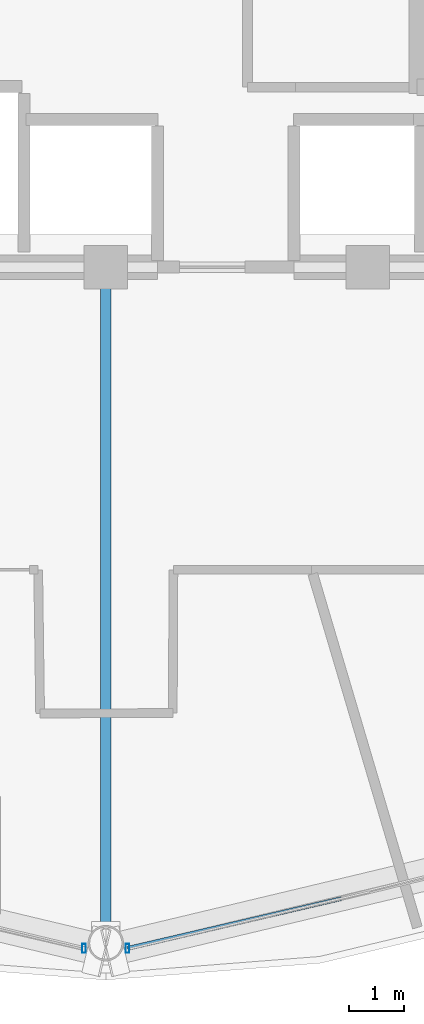
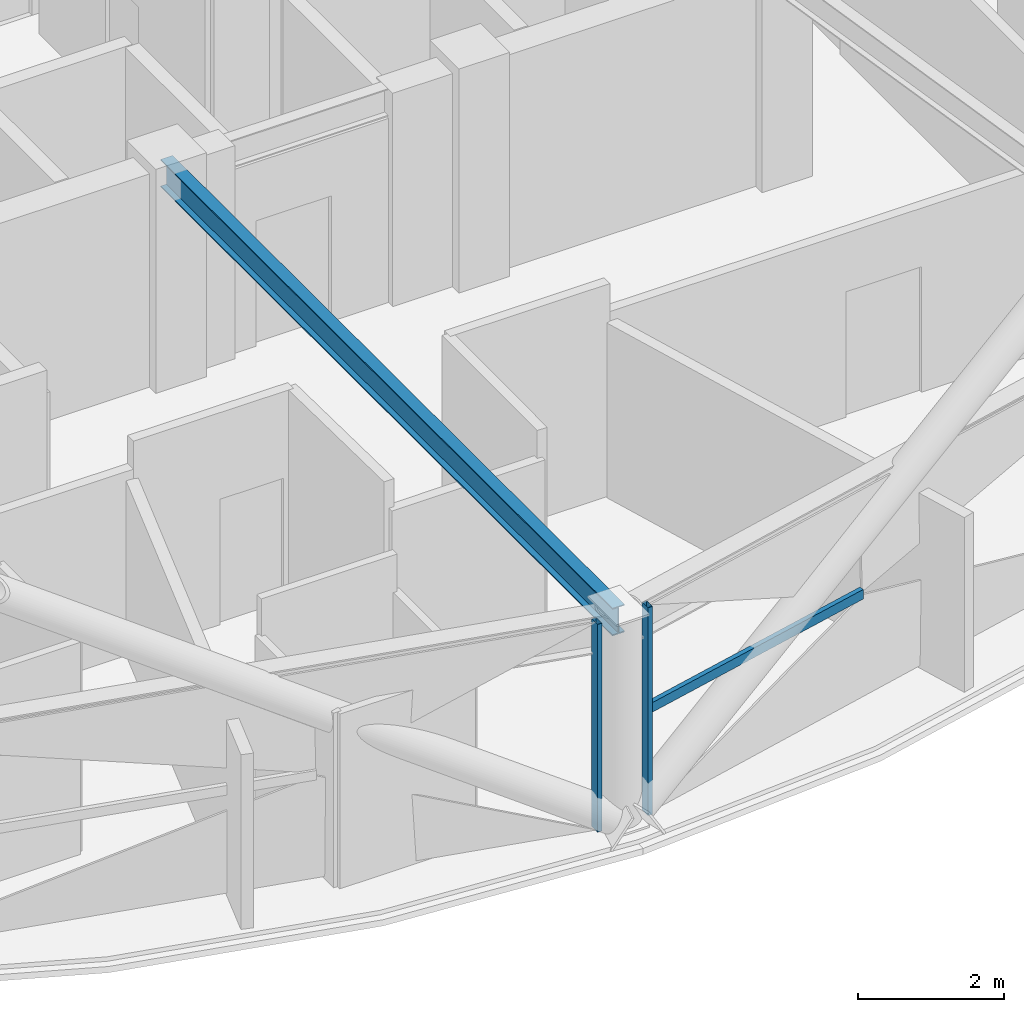
# One storey, part 5 of 29: 3 members, 1 beam, 2 elements without a shape of their own.
"""IFC4 building model written with IfcOpenShell, lengths in metres."""

from ifc_helpers import new_model, si_unit, direction, frame, origin, origin_2d, place, context, subcontext, project, spatial, hollow_rectangle, i_section, extrude, material, layer, layer_set, material_profile, profile_set, type_object, element, aggregate, save


model = new_model("IFC4")

# Units and contexts
model_context = context("Model", 3, precision=1e-05, world=origin(), true_north=direction((0.0, 1.0)))
body_context = subcontext(model_context, "Body", "Model", "MODEL_VIEW")
ifc_project = project(units=[si_unit("LENGTHUNIT", "METRE"), si_unit("AREAUNIT", "SQUARE_METRE"), si_unit("VOLUMEUNIT", "CUBIC_METRE"), si_unit("PLANEANGLEUNIT", "RADIAN"), si_unit("MASSUNIT", "GRAM", prefix="KILO")], contexts=[model_context])

# Site, building, storey
site_placement = place(None, origin())
site = spatial("IfcSite", under=ifc_project, at=site_placement, CompositionType="ELEMENT")
building_placement = place(site_placement, origin())
building = spatial("IfcBuilding", under=site, at=building_placement, Name="Vantalir Tower", CompositionType="ELEMENT")
storey_placement = place(building_placement, frame((0.0, 0.0, 219.89990234375)))
storey = spatial("IfcBuildingStorey", under=building, at=storey_placement, Name="L55", CompositionType="ELEMENT", Elevation=219.89990234375)

# Beam
ifc_material_1 = material(Name="Steel S355", Category="steel")
ifc_material_profile_1 = material_profile(ifc_material_1, i_section(OverallWidth=0.19189453125, OverallDepth=0.462890625, WebThickness=0.010498046875, FlangeThickness=0.017578125, at=origin_2d()), Name="Steel S355")
ifc_profile_set_1 = profile_set([ifc_material_profile_1], Name="Steel S355")
beam_type = type_object("IfcBeamType", Name="BM-RB-457x191", PredefinedType="BEAM", material=ifc_profile_set_1)
beam_placement = place(storey_placement, frame((31.5, 5.404052734375, 3.338134765625), z_axis=(0.0, 1.0, 0.0), x_axis=(-1.0, 0.0, 0.0)))
element("IfcBeam", 1, at=beam_placement, inside=storey, type_object=beam_type, Name="L55 Radial Floor Beam 10", PredefinedType="BEAM", context=body_context, shape_type="SweptSolid", body=[
    extrude(i_section(OverallWidth=0.19189453125, OverallDepth=0.462890625, WebThickness=0.010498046875, FlangeThickness=0.017578125, at=origin_2d()), origin(), (0.0, 0.0, 1.0), 12.39599609375),
])

# Curtain wall, member
ifc_material_2 = material(Name="Champagne-silver PVDF aluminium and double-silver Low-E glass", Category="aluminium")
ifc_layer = layer(ifc_material_2, 0.2099609375)
ifc_layer_set = layer_set([ifc_layer], Name="Champagne-silver PVDF aluminium and double-silver Low-E glass")
curtain_wall_type = type_object("IfcCurtainWallType", Name="CW-DIAMOND-Z3", PredefinedType="USERDEFINED", material=ifc_layer_set)
curtain_wall_1_placement = place(storey_placement, origin())
curtain_wall_1 = element("IfcCurtainWall", 2, at=curtain_wall_1_placement, inside=storey, type_object=curtain_wall_type, Name="L55 Quilted Pyramid-Diamond Curtain Wall S09", ObjectType="UNITISED CURTAIN WALL", PredefinedType="USERDEFINED")
ifc_material_3 = material(Name="Champagne-silver PVDF aluminium 6063-T6", Category="aluminium")
ifc_material_profile_2 = material_profile(ifc_material_3, hollow_rectangle(XDim=0.070068359375, YDim=0.1650390625, WallThickness=0.00390625, at=origin_2d()), Name="Champagne-silver PVDF aluminium 6063-T6")
ifc_profile_set_2 = profile_set([ifc_material_profile_2], Name="Champagne-silver PVDF aluminium 6063-T6")
member_type_1 = type_object("IfcMemberType", Name="CWM-165x70", PredefinedType="MULLION", material=ifc_profile_set_2)
member_1_placement = place(storey_placement, frame((31.10107421875, 5.30908203125, 0.045166015625), z_axis=(0.0, 0.0, 1.0), x_axis=(1.0, 0.0, 0.0)))
member_1 = element("IfcMember", 3, at=member_1_placement, type_object=member_type_1, Name="CW-L55-S09 Mullion 2", PredefinedType="MULLION", context=body_context, shape_type="SweptSolid", body=[
    extrude(hollow_rectangle(XDim=0.070068359375, YDim=0.1650390625, WallThickness=0.00390625, at=origin_2d()), origin(), (0.0, 0.0, 1.0), 3.47998046875),
])
aggregate(curtain_wall_1, [member_1])

# Curtain wall, members
curtain_wall_2_placement = place(storey_placement, origin())
curtain_wall_2 = element("IfcCurtainWall", 4, at=curtain_wall_2_placement, inside=storey, type_object=curtain_wall_type, Name="L55 Quilted Pyramid-Diamond Curtain Wall S10", ObjectType="UNITISED CURTAIN WALL", PredefinedType="USERDEFINED")
member_2_placement = place(storey_placement, frame((31.89892578125, 5.30908203125, 0.045166015625), z_axis=(0.0, 0.0, 1.0), x_axis=(1.0, 0.0, 0.0)))
member_2 = element("IfcMember", 5, at=member_2_placement, type_object=member_type_1, Name="CW-L55-S10 Mullion 1", PredefinedType="MULLION", context=body_context, shape_type="SweptSolid", body=[
    extrude(hollow_rectangle(XDim=0.070068359375, YDim=0.1650390625, WallThickness=0.00390625, at=origin_2d()), origin(), (0.0, 0.0, 1.0), 3.47998046875),
])
ifc_material_profile_3 = material_profile(ifc_material_3, hollow_rectangle(XDim=0.074951171875, YDim=0.159912109375, WallThickness=0.00390625, at=origin_2d()), Name="Champagne-silver PVDF aluminium 6063-T6")
ifc_profile_set_3 = profile_set([ifc_material_profile_3], Name="Champagne-silver PVDF aluminium 6063-T6")
member_type_2 = type_object("IfcMemberType", Name="CWT-160x75", PredefinedType="USERDEFINED", material=ifc_profile_set_3)
member_3_placement = place(storey_placement, frame((31.89892578125, 5.30908203125, 1.78515625), z_axis=(0.974009582798, 0.226506804791, 0.0), x_axis=(-0.226506804791, 0.974009582798, 0.0)))
member_3 = element("IfcMember", 6, at=member_3_placement, type_object=member_type_2, Name="CW-L55-S10 Pyramid Fold Ridge Transom", ObjectType="TRANSOM", PredefinedType="USERDEFINED", context=body_context, shape_type="SweptSolid", body=[
    extrude(hollow_rectangle(XDim=0.074951171875, YDim=0.159912109375, WallThickness=0.00390625, at=origin_2d()), origin(), (0.0, 0.0, 1.0), 4.02587890625),
])
aggregate(curtain_wall_2, [member_2, member_3])

save(model, "model.ifc")
